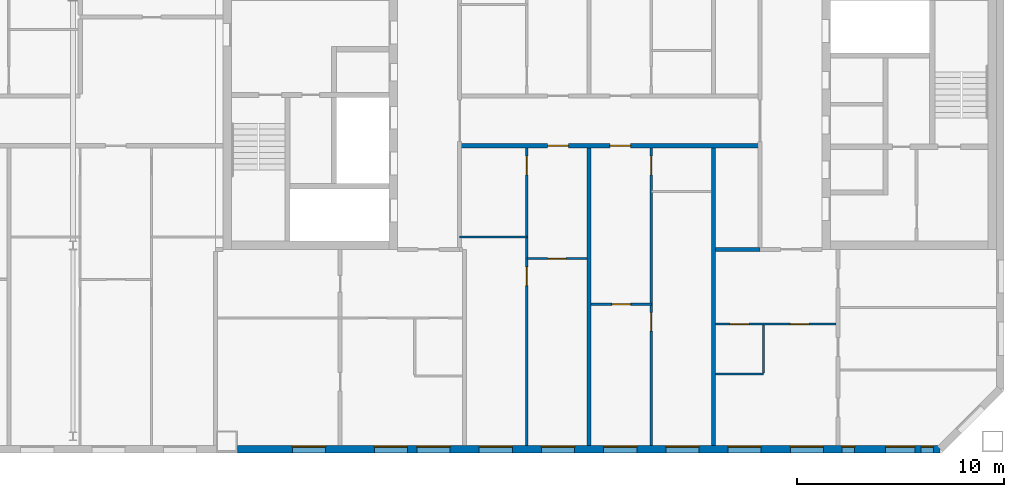
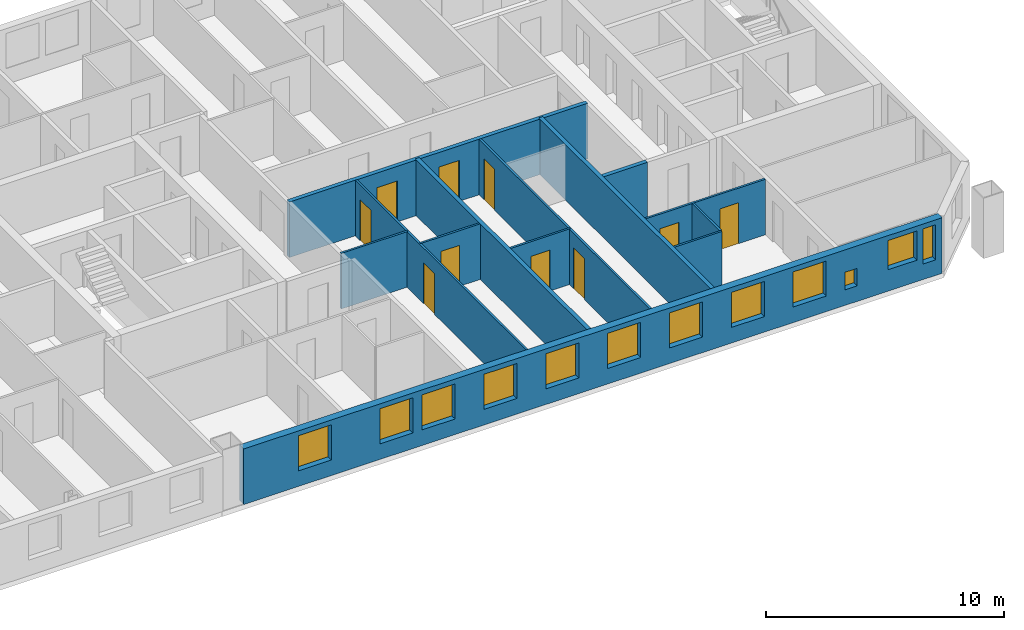
# One storey, part 14 of 19: 13 walls, 12 windows, 10 doors, 22 openings.
"""IFC4 building model written with IfcOpenShell, lengths in metres."""

from ifc_helpers import new_model, si_unit, direction, frame, frame_2d, origin, place, context, subcontext, project, spatial, rectangle, extrude, material, layer, layer_set, type_object, element, fill, save


model = new_model("IFC4")

# Units and contexts
model_context = context("Model", 3, precision=1e-05, world=origin(), true_north=direction((0.0, 1.0)))
body_context = subcontext(model_context, "Body", "Model", "MODEL_VIEW")
ifc_project = project(units=[si_unit("LENGTHUNIT", "METRE"), si_unit("AREAUNIT", "SQUARE_METRE"), si_unit("VOLUMEUNIT", "CUBIC_METRE"), si_unit("PLANEANGLEUNIT", "RADIAN"), si_unit("MASSUNIT", "GRAM", prefix="KILO")], contexts=[model_context])

# Site, building, storey
site_placement = place(None, origin())
site = spatial("IfcSite", under=ifc_project, at=site_placement, CompositionType="ELEMENT")
building_placement = place(site_placement, origin())
building = spatial("IfcBuilding", under=site, at=building_placement, Name="Tuart Gate Housing", CompositionType="ELEMENT")
storey_placement = place(building_placement, frame((0.0, 0.0, 212.10009765625)))
storey = spatial("IfcBuildingStorey", under=building, at=storey_placement, Name="L60", CompositionType="ELEMENT", Elevation=212.10009765625)

# Wall, openings, windows
ifc_material_1 = material(Name="Brick", Category="masonry")
ifc_layer_1 = layer(ifc_material_1, 0.360107421875)
ifc_layer_set_1 = layer_set([ifc_layer_1], Name="Brick pier and spandrel wall 360")
wall_type_1 = type_object("IfcWallType", Name="Brick pier and spandrel wall 360", PredefinedType="STANDARD", material=ifc_layer_set_1)
wall_1_placement = place(storey_placement, frame((132.050048828125, 54.179931640625, 0.0), z_axis=(0.0, 0.0, 1.0), x_axis=(1.0, 0.0, 0.0)))
wall_1 = element("IfcWall", 1, at=wall_1_placement, inside=storey, type_object=wall_type_1, Name="External wall BLK-S L60", PredefinedType="STANDARD", context=body_context, shape_type="SweptSolid", body=[
    extrude(rectangle(XDim=33.87548828125, YDim=0.360107421875, at=frame_2d((16.937744140625, 0.0))), origin(), (0.0, 0.0, 1.0), 2.849853515625),
])
opening_1_placement = place(wall_1_placement, frame((2.64990234375, 0.0, 0.800048828125)))
opening_1 = element("IfcOpeningElement", 2, at=opening_1_placement, cuts=wall_1, Name="Opening W1", PredefinedType="OPENING", context=body_context, shape_type="SweptSolid", body=[
    extrude(rectangle(XDim=1.60009765625, YDim=1.800048828125, at=frame_2d((0.800048828125, 0.89990234375))), frame((0.0, 0.18994140625, 0.0), z_axis=(0.0, -1.0, 0.0), x_axis=(1.0, 0.0, 0.0)), (0.0, 0.0, 1.0), 0.380126953125),
])
opening_2_placement = place(wall_1_placement, frame((6.60009765625, 0.0, 0.800048828125)))
opening_2 = element("IfcOpeningElement", 3, at=opening_2_placement, cuts=wall_1, Name="Opening W1", PredefinedType="OPENING", context=body_context, shape_type="SweptSolid", body=[
    extrude(rectangle(XDim=1.60009765625, YDim=1.800048828125, at=frame_2d((0.800048828125, 0.89990234375))), frame((0.0, 0.18994140625, 0.0), z_axis=(0.0, -1.0, 0.0), x_axis=(1.0, 0.0, 0.0)), (0.0, 0.0, 1.0), 0.380126953125),
])
opening_3_placement = place(wall_1_placement, frame((8.64990234375, 0.0, 0.800048828125)))
opening_3 = element("IfcOpeningElement", 4, at=opening_3_placement, cuts=wall_1, Name="Opening W1", PredefinedType="OPENING", context=body_context, shape_type="SweptSolid", body=[
    extrude(rectangle(XDim=1.60009765625, YDim=1.800048828125, at=frame_2d((0.800048828125, 0.89990234375))), frame((0.0, 0.18994140625, 0.0), z_axis=(0.0, -1.0, 0.0), x_axis=(1.0, 0.0, 0.0)), (0.0, 0.0, 1.0), 0.380126953125),
])
opening_4_placement = place(wall_1_placement, frame((11.64990234375, 0.0, 0.800048828125)))
opening_4 = element("IfcOpeningElement", 5, at=opening_4_placement, cuts=wall_1, Name="Opening W1", PredefinedType="OPENING", context=body_context, shape_type="SweptSolid", body=[
    extrude(rectangle(XDim=1.60009765625, YDim=1.800048828125, at=frame_2d((0.800048828125, 0.89990234375))), frame((0.0, 0.18994140625, 0.0), z_axis=(0.0, -1.0, 0.0), x_axis=(1.0, 0.0, 0.0)), (0.0, 0.0, 1.0), 0.380126953125),
])
opening_5_placement = place(wall_1_placement, frame((14.64990234375, 0.0, 0.800048828125)))
opening_5 = element("IfcOpeningElement", 6, at=opening_5_placement, cuts=wall_1, Name="Opening W1", PredefinedType="OPENING", context=body_context, shape_type="SweptSolid", body=[
    extrude(rectangle(XDim=1.60009765625, YDim=1.800048828125, at=frame_2d((0.800048828125, 0.89990234375))), frame((0.0, 0.18994140625, 0.0), z_axis=(0.0, -1.0, 0.0), x_axis=(1.0, 0.0, 0.0)), (0.0, 0.0, 1.0), 0.380126953125),
])
opening_6_placement = place(wall_1_placement, frame((17.64990234375, 0.0, 0.800048828125)))
opening_6 = element("IfcOpeningElement", 7, at=opening_6_placement, cuts=wall_1, Name="Opening W1", PredefinedType="OPENING", context=body_context, shape_type="SweptSolid", body=[
    extrude(rectangle(XDim=1.60009765625, YDim=1.800048828125, at=frame_2d((0.800048828125, 0.89990234375))), frame((0.0, 0.18994140625, 0.0), z_axis=(0.0, -1.0, 0.0), x_axis=(1.0, 0.0, 0.0)), (0.0, 0.0, 1.0), 0.380126953125),
])
opening_7_placement = place(wall_1_placement, frame((20.64990234375, 0.0, 0.800048828125)))
opening_7 = element("IfcOpeningElement", 8, at=opening_7_placement, cuts=wall_1, Name="Opening W1", PredefinedType="OPENING", context=body_context, shape_type="SweptSolid", body=[
    extrude(rectangle(XDim=1.60009765625, YDim=1.800048828125, at=frame_2d((0.800048828125, 0.89990234375))), frame((0.0, 0.18994140625, 0.0), z_axis=(0.0, -1.0, 0.0), x_axis=(1.0, 0.0, 0.0)), (0.0, 0.0, 1.0), 0.380126953125),
])
opening_8_placement = place(wall_1_placement, frame((23.64990234375, 0.0, 0.800048828125)))
opening_8 = element("IfcOpeningElement", 9, at=opening_8_placement, cuts=wall_1, Name="Opening W1", PredefinedType="OPENING", context=body_context, shape_type="SweptSolid", body=[
    extrude(rectangle(XDim=1.60009765625, YDim=1.800048828125, at=frame_2d((0.800048828125, 0.89990234375))), frame((0.0, 0.18994140625, 0.0), z_axis=(0.0, -1.0, 0.0), x_axis=(1.0, 0.0, 0.0)), (0.0, 0.0, 1.0), 0.380126953125),
])
opening_9_placement = place(wall_1_placement, frame((26.64990234375, 0.0, 0.800048828125)))
opening_9 = element("IfcOpeningElement", 10, at=opening_9_placement, cuts=wall_1, Name="Opening W1", PredefinedType="OPENING", context=body_context, shape_type="SweptSolid", body=[
    extrude(rectangle(XDim=1.60009765625, YDim=1.800048828125, at=frame_2d((0.800048828125, 0.89990234375))), frame((0.0, 0.18994140625, 0.0), z_axis=(0.0, -1.0, 0.0), x_axis=(1.0, 0.0, 0.0)), (0.0, 0.0, 1.0), 0.380126953125),
])
opening_10_placement = place(wall_1_placement, frame((29.14990234375, 0.0, 0.800048828125)))
opening_10 = element("IfcOpeningElement", 11, at=opening_10_placement, cuts=wall_1, Name="Opening W1W", PredefinedType="OPENING", context=body_context, shape_type="SweptSolid", body=[
    extrude(rectangle(XDim=0.60009765625, YDim=0.89990234375, at=frame_2d((0.300048828125, 0.449951171875))), frame((0.0, 0.18994140625, 0.0), z_axis=(0.0, -1.0, 0.0), x_axis=(1.0, 0.0, 0.0)), (0.0, 0.0, 1.0), 0.380126953125),
])
opening_11_placement = place(wall_1_placement, frame((31.25, 0.0, 1.10009765625)))
opening_11 = element("IfcOpeningElement", 12, at=opening_11_placement, cuts=wall_1, Name="Opening W1G", PredefinedType="OPENING", context=body_context, shape_type="SweptSolid", body=[
    extrude(rectangle(XDim=1.39990234375, YDim=1.5, at=frame_2d((0.699951171875, 0.75))), frame((0.0, 0.18994140625, 0.0), z_axis=(0.0, -1.0, 0.0), x_axis=(1.0, 0.0, 0.0)), (0.0, 0.0, 1.0), 0.380126953125),
])
opening_12_placement = place(wall_1_placement, frame((32.949951171875, 0.0, 0.800048828125)))
opening_12 = element("IfcOpeningElement", 13, at=opening_12_placement, cuts=wall_1, Name="Opening W1E", PredefinedType="OPENING", context=body_context, shape_type="SweptSolid", body=[
    extrude(rectangle(XDim=0.60009765625, YDim=1.800048828125, at=frame_2d((0.300048828125, 0.89990234375))), frame((0.0, 0.18994140625, 0.0), z_axis=(0.0, -1.0, 0.0), x_axis=(1.0, 0.0, 0.0)), (0.0, 0.0, 1.0), 0.380126953125),
])
ifc_material_2 = material(Name="Aluminium frame with clear glass", Category="aluminium")
window_type_1 = type_object("IfcWindowType", Name="Punched window 1400 x 1500", PartitioningType="SINGLE_PANEL", PredefinedType="WINDOW", material=ifc_material_2)
window_1_placement = place(opening_11_placement, origin())
window_1 = element("IfcWindow", 14, at=window_1_placement, inside=storey, type_object=window_type_1, Name="Window W1G", OverallHeight=1.5, OverallWidth=1.39990234375, PartitioningType="SINGLE_PANEL", PredefinedType="WINDOW", context=body_context, shape_type="SweptSolid", body=[
    extrude(rectangle(XDim=1.39990234375, YDim=1.5, at=frame_2d((0.699951171875, 0.75))), frame((0.0, 0.150146484375, 0.0), z_axis=(0.0, -1.0, 0.0), x_axis=(1.0, 0.0, 0.0)), (0.0, 0.0, 1.0), 0.06005859375),
])
fill(opening_11, window_1)
ifc_material_3 = material(Name="Aluminium frame with clear glass", Category="aluminium")
window_type_2 = type_object("IfcWindowType", Name="Punched window 1600 x 1800", PartitioningType="SINGLE_PANEL", PredefinedType="WINDOW", material=ifc_material_3)
window_2_placement = place(opening_1_placement, origin())
window_2 = element("IfcWindow", 15, at=window_2_placement, inside=storey, type_object=window_type_2, Name="Window W1", OverallHeight=1.800048828125, OverallWidth=1.60009765625, PartitioningType="SINGLE_PANEL", PredefinedType="WINDOW", context=body_context, shape_type="SweptSolid", body=[
    extrude(rectangle(XDim=1.60009765625, YDim=1.800048828125, at=frame_2d((0.800048828125, 0.89990234375))), frame((0.0, 0.150146484375, 0.0), z_axis=(0.0, -1.0, 0.0), x_axis=(1.0, 0.0, 0.0)), (0.0, 0.0, 1.0), 0.06005859375),
])
fill(opening_1, window_2)
window_3_placement = place(opening_2_placement, origin())
window_3 = element("IfcWindow", 16, at=window_3_placement, inside=storey, type_object=window_type_2, Name="Window W1", OverallHeight=1.800048828125, OverallWidth=1.60009765625, PartitioningType="SINGLE_PANEL", PredefinedType="WINDOW", context=body_context, shape_type="SweptSolid", body=[
    extrude(rectangle(XDim=1.60009765625, YDim=1.800048828125, at=frame_2d((0.800048828125, 0.89990234375))), frame((0.0, 0.150146484375, 0.0), z_axis=(0.0, -1.0, 0.0), x_axis=(1.0, 0.0, 0.0)), (0.0, 0.0, 1.0), 0.06005859375),
])
fill(opening_2, window_3)
window_4_placement = place(opening_3_placement, origin())
window_4 = element("IfcWindow", 17, at=window_4_placement, inside=storey, type_object=window_type_2, Name="Window W1", OverallHeight=1.800048828125, OverallWidth=1.60009765625, PartitioningType="SINGLE_PANEL", PredefinedType="WINDOW", context=body_context, shape_type="SweptSolid", body=[
    extrude(rectangle(XDim=1.60009765625, YDim=1.800048828125, at=frame_2d((0.800048828125, 0.89990234375))), frame((0.0, 0.150146484375, 0.0), z_axis=(0.0, -1.0, 0.0), x_axis=(1.0, 0.0, 0.0)), (0.0, 0.0, 1.0), 0.06005859375),
])
fill(opening_3, window_4)
window_5_placement = place(opening_4_placement, origin())
window_5 = element("IfcWindow", 18, at=window_5_placement, inside=storey, type_object=window_type_2, Name="Window W1", OverallHeight=1.800048828125, OverallWidth=1.60009765625, PartitioningType="SINGLE_PANEL", PredefinedType="WINDOW", context=body_context, shape_type="SweptSolid", body=[
    extrude(rectangle(XDim=1.60009765625, YDim=1.800048828125, at=frame_2d((0.800048828125, 0.89990234375))), frame((0.0, 0.150146484375, 0.0), z_axis=(0.0, -1.0, 0.0), x_axis=(1.0, 0.0, 0.0)), (0.0, 0.0, 1.0), 0.06005859375),
])
fill(opening_4, window_5)
window_6_placement = place(opening_5_placement, origin())
window_6 = element("IfcWindow", 19, at=window_6_placement, inside=storey, type_object=window_type_2, Name="Window W1", OverallHeight=1.800048828125, OverallWidth=1.60009765625, PartitioningType="SINGLE_PANEL", PredefinedType="WINDOW", context=body_context, shape_type="SweptSolid", body=[
    extrude(rectangle(XDim=1.60009765625, YDim=1.800048828125, at=frame_2d((0.800048828125, 0.89990234375))), frame((0.0, 0.150146484375, 0.0), z_axis=(0.0, -1.0, 0.0), x_axis=(1.0, 0.0, 0.0)), (0.0, 0.0, 1.0), 0.06005859375),
])
fill(opening_5, window_6)
window_7_placement = place(opening_6_placement, origin())
window_7 = element("IfcWindow", 20, at=window_7_placement, inside=storey, type_object=window_type_2, Name="Window W1", OverallHeight=1.800048828125, OverallWidth=1.60009765625, PartitioningType="SINGLE_PANEL", PredefinedType="WINDOW", context=body_context, shape_type="SweptSolid", body=[
    extrude(rectangle(XDim=1.60009765625, YDim=1.800048828125, at=frame_2d((0.800048828125, 0.89990234375))), frame((0.0, 0.150146484375, 0.0), z_axis=(0.0, -1.0, 0.0), x_axis=(1.0, 0.0, 0.0)), (0.0, 0.0, 1.0), 0.06005859375),
])
fill(opening_6, window_7)
window_8_placement = place(opening_7_placement, origin())
window_8 = element("IfcWindow", 21, at=window_8_placement, inside=storey, type_object=window_type_2, Name="Window W1", OverallHeight=1.800048828125, OverallWidth=1.60009765625, PartitioningType="SINGLE_PANEL", PredefinedType="WINDOW", context=body_context, shape_type="SweptSolid", body=[
    extrude(rectangle(XDim=1.60009765625, YDim=1.800048828125, at=frame_2d((0.800048828125, 0.89990234375))), frame((0.0, 0.150146484375, 0.0), z_axis=(0.0, -1.0, 0.0), x_axis=(1.0, 0.0, 0.0)), (0.0, 0.0, 1.0), 0.06005859375),
])
fill(opening_7, window_8)
window_9_placement = place(opening_8_placement, origin())
window_9 = element("IfcWindow", 22, at=window_9_placement, inside=storey, type_object=window_type_2, Name="Window W1", OverallHeight=1.800048828125, OverallWidth=1.60009765625, PartitioningType="SINGLE_PANEL", PredefinedType="WINDOW", context=body_context, shape_type="SweptSolid", body=[
    extrude(rectangle(XDim=1.60009765625, YDim=1.800048828125, at=frame_2d((0.800048828125, 0.89990234375))), frame((0.0, 0.150146484375, 0.0), z_axis=(0.0, -1.0, 0.0), x_axis=(1.0, 0.0, 0.0)), (0.0, 0.0, 1.0), 0.06005859375),
])
fill(opening_8, window_9)
window_10_placement = place(opening_9_placement, origin())
window_10 = element("IfcWindow", 23, at=window_10_placement, inside=storey, type_object=window_type_2, Name="Window W1", OverallHeight=1.800048828125, OverallWidth=1.60009765625, PartitioningType="SINGLE_PANEL", PredefinedType="WINDOW", context=body_context, shape_type="SweptSolid", body=[
    extrude(rectangle(XDim=1.60009765625, YDim=1.800048828125, at=frame_2d((0.800048828125, 0.89990234375))), frame((0.0, 0.150146484375, 0.0), z_axis=(0.0, -1.0, 0.0), x_axis=(1.0, 0.0, 0.0)), (0.0, 0.0, 1.0), 0.06005859375),
])
fill(opening_9, window_10)
ifc_material_4 = material(Name="Aluminium frame with clear glass", Category="aluminium")
window_type_3 = type_object("IfcWindowType", Name="Punched window 600 x 1800", PartitioningType="SINGLE_PANEL", PredefinedType="WINDOW", material=ifc_material_4)
window_11_placement = place(opening_12_placement, origin())
window_11 = element("IfcWindow", 24, at=window_11_placement, inside=storey, type_object=window_type_3, Name="Window W1E", OverallHeight=1.800048828125, OverallWidth=0.60009765625, PartitioningType="SINGLE_PANEL", PredefinedType="WINDOW", context=body_context, shape_type="SweptSolid", body=[
    extrude(rectangle(XDim=0.60009765625, YDim=1.800048828125, at=frame_2d((0.300048828125, 0.89990234375))), frame((0.0, 0.150146484375, 0.0), z_axis=(0.0, -1.0, 0.0), x_axis=(1.0, 0.0, 0.0)), (0.0, 0.0, 1.0), 0.06005859375),
])
fill(opening_12, window_11)
ifc_material_5 = material(Name="Aluminium frame with clear glass", Category="aluminium")
window_type_4 = type_object("IfcWindowType", Name="Punched window 600 x 900", PartitioningType="SINGLE_PANEL", PredefinedType="WINDOW", material=ifc_material_5)
window_12_placement = place(opening_10_placement, origin())
window_12 = element("IfcWindow", 25, at=window_12_placement, inside=storey, type_object=window_type_4, Name="Window W1W", OverallHeight=0.89990234375, OverallWidth=0.60009765625, PartitioningType="SINGLE_PANEL", PredefinedType="WINDOW", context=body_context, shape_type="SweptSolid", body=[
    extrude(rectangle(XDim=0.60009765625, YDim=0.89990234375, at=frame_2d((0.300048828125, 0.449951171875))), frame((0.0, 0.150146484375, 0.0), z_axis=(0.0, -1.0, 0.0), x_axis=(1.0, 0.0, 0.0)), (0.0, 0.0, 1.0), 0.06005859375),
])
fill(opening_10, window_12)

# Wall, openings, doors
ifc_material_6 = material(Name="Concrete masonry 15 MPa", Category="masonry")
ifc_layer_2 = layer(ifc_material_6, 0.199951171875)
ifc_layer_set_2 = layer_set([ifc_layer_2], Name="Corridor wall masonry 200")
wall_type_2 = type_object("IfcWallType", Name="Corridor wall masonry 200", PredefinedType="PARTITIONING", material=ifc_layer_set_2)
wall_2_placement = place(storey_placement, frame((142.760009765625, 68.800048828125, 0.0), z_axis=(0.0, 0.0, 1.0), x_axis=(1.0, 0.0, 0.0)))
wall_2 = element("IfcWall", 26, at=wall_2_placement, inside=storey, type_object=wall_type_2, Name="Corridor wall masonry 200", PredefinedType="PARTITIONING", context=body_context, shape_type="SweptSolid", body=[
    extrude(rectangle(XDim=14.47998046875, YDim=0.199951171875, at=frame_2d((7.239990234375, 0.0))), origin(), (0.0, 0.0, 1.0), 2.849853515625),
])
opening_13_placement = place(wall_2_placement, frame((4.239990234375, 0.0, 0.0)))
opening_13 = element("IfcOpeningElement", 27, at=opening_13_placement, cuts=wall_2, Name="Opening D2254", PredefinedType="OPENING", context=body_context, shape_type="SweptSolid", body=[
    extrude(rectangle(XDim=1.0, YDim=2.10009765625, at=frame_2d((0.5, 1.050048828125))), frame((0.0, 0.10986328125, 0.0), z_axis=(0.0, -1.0, 0.0), x_axis=(1.0, 0.0, 0.0)), (0.0, 0.0, 1.0), 0.219970703125),
])
opening_14_placement = place(wall_2_placement, frame((7.239990234375, 0.0, 0.0)))
opening_14 = element("IfcOpeningElement", 28, at=opening_14_placement, cuts=wall_2, Name="Opening D2255", PredefinedType="OPENING", context=body_context, shape_type="SweptSolid", body=[
    extrude(rectangle(XDim=1.0, YDim=2.10009765625, at=frame_2d((0.5, 1.050048828125))), frame((0.0, 0.10986328125, 0.0), z_axis=(0.0, -1.0, 0.0), x_axis=(1.0, 0.0, 0.0)), (0.0, 0.0, 1.0), 0.219970703125),
])
ifc_material_7 = material(Name="Timber door leaf in steel frame", Category="steel")
door_type_1 = type_object("IfcDoorType", Name="Flat entrance door 1000 RH", OperationType="SINGLE_SWING_RIGHT", PredefinedType="DOOR", material=ifc_material_7)
door_1_placement = place(opening_13_placement, frame((1.0, 0.0, 0.0), z_axis=(0.0, 0.0, 1.0), x_axis=(-1.0, 0.0, 0.0)))
door_1 = element("IfcDoor", 29, at=door_1_placement, inside=storey, type_object=door_type_1, Name="Flat entrance door", OperationType="SINGLE_SWING_RIGHT", OverallHeight=2.10009765625, OverallWidth=1.0, PredefinedType="DOOR", context=body_context, shape_type="SweptSolid", body=[
    extrude(rectangle(XDim=1.0, YDim=2.10009765625, at=frame_2d((0.5, 1.050048828125))), frame((0.0, 0.025146484375, 0.0), z_axis=(0.0, -1.0, 0.0), x_axis=(1.0, 0.0, 0.0)), (0.0, 0.0, 1.0), 0.050048828125),
])
fill(opening_13, door_1)
door_2_placement = place(opening_14_placement, frame((1.0, 0.0, 0.0), z_axis=(0.0, 0.0, 1.0), x_axis=(-1.0, 0.0, 0.0)))
door_2 = element("IfcDoor", 30, at=door_2_placement, inside=storey, type_object=door_type_1, Name="Flat entrance door", OperationType="SINGLE_SWING_RIGHT", OverallHeight=2.10009765625, OverallWidth=1.0, PredefinedType="DOOR", context=body_context, shape_type="SweptSolid", body=[
    extrude(rectangle(XDim=1.0, YDim=2.10009765625, at=frame_2d((0.5, 1.050048828125))), frame((0.0, 0.025146484375, 0.0), z_axis=(0.0, -1.0, 0.0), x_axis=(1.0, 0.0, 0.0)), (0.0, 0.0, 1.0), 0.050048828125),
])
fill(opening_14, door_2)

# Wall
ifc_material_8 = material(Name="Gypsum board on steel studs", Category="steel")
ifc_layer_3 = layer(ifc_material_8, 0.10009765625)
ifc_layer_set_3 = layer_set([ifc_layer_3], Name="Partition 100")
wall_type_3 = type_object("IfcWallType", Name="Partition 100", PredefinedType="PARTITIONING", material=ifc_layer_set_3)
wall_3_placement = place(storey_placement, frame((155.10009765625, 57.800048828125, 0.0), z_axis=(0.0, 0.0, 1.0), x_axis=(1.0, 0.0, 0.0)))
element("IfcWall", 31, at=wall_3_placement, inside=storey, type_object=wall_type_3, Name="Partition 100", PredefinedType="PARTITIONING", context=body_context, shape_type="SweptSolid", body=[
    extrude(rectangle(XDim=2.2998046875, YDim=0.10009765625, at=frame_2d((1.14990234375, 0.0))), origin(), (0.0, 0.0, 1.0), 2.849853515625),
])

# Wall, openings, doors
wall_4_placement = place(storey_placement, frame((155.10009765625, 60.199951171875, 0.0), z_axis=(0.0, 0.0, 1.0), x_axis=(1.0, 0.0, 0.0)))
wall_4 = element("IfcWall", 32, at=wall_4_placement, inside=storey, type_object=wall_type_3, Name="Partition 100", PredefinedType="PARTITIONING", context=body_context, shape_type="SweptSolid", body=[
    extrude(rectangle(XDim=5.7998046875, YDim=0.10009765625, at=frame_2d((2.89990234375, 0.0))), origin(), (0.0, 0.0, 1.0), 2.849853515625),
])
opening_15_placement = place(wall_4_placement, frame((3.60009765625, 0.0, 0.0)))
opening_15 = element("IfcOpeningElement", 33, at=opening_15_placement, cuts=wall_4, Name="Opening D2270", PredefinedType="OPENING", context=body_context, shape_type="SweptSolid", body=[
    extrude(rectangle(XDim=0.89990234375, YDim=2.10009765625, at=frame_2d((0.449951171875, 1.050048828125))), frame((0.0, 0.06005859375, 0.0), z_axis=(0.0, -1.0, 0.0), x_axis=(1.0, 0.0, 0.0)), (0.0, 0.0, 1.0), 0.1201171875),
])
opening_16_placement = place(wall_4_placement, frame((0.699951171875, 0.0, 0.0)))
opening_16 = element("IfcOpeningElement", 34, at=opening_16_placement, cuts=wall_4, Name="Opening D2269", PredefinedType="OPENING", context=body_context, shape_type="SweptSolid", body=[
    extrude(rectangle(XDim=0.89990234375, YDim=2.10009765625, at=frame_2d((0.449951171875, 1.050048828125))), frame((0.0, 0.06005859375, 0.0), z_axis=(0.0, -1.0, 0.0), x_axis=(1.0, 0.0, 0.0)), (0.0, 0.0, 1.0), 0.1201171875),
])
ifc_material_9 = material(Name="Timber door leaf in steel frame", Category="steel")
door_type_2 = type_object("IfcDoorType", Name="Bathroom door 900", OperationType="SINGLE_SWING_LEFT", PredefinedType="DOOR", material=ifc_material_9)
door_3_placement = place(opening_16_placement, frame((0.89990234375, 0.0, 0.0), z_axis=(0.0, 0.0, 1.0), x_axis=(-1.0, 0.0, 0.0)))
door_3 = element("IfcDoor", 35, at=door_3_placement, inside=storey, type_object=door_type_2, Name="Bathroom door", OperationType="SINGLE_SWING_LEFT", OverallHeight=2.10009765625, OverallWidth=0.89990234375, PredefinedType="DOOR", context=body_context, shape_type="SweptSolid", body=[
    extrude(rectangle(XDim=0.89990234375, YDim=2.10009765625, at=frame_2d((0.449951171875, 1.050048828125))), frame((0.0, 0.025146484375, 0.0), z_axis=(0.0, -1.0, 0.0), x_axis=(1.0, 0.0, 0.0)), (0.0, 0.0, 1.0), 0.050048828125),
])
fill(opening_16, door_3)
ifc_material_10 = material(Name="Timber door leaf in steel frame", Category="steel")
door_type_3 = type_object("IfcDoorType", Name="Internal door 900 RH", OperationType="SINGLE_SWING_RIGHT", PredefinedType="DOOR", material=ifc_material_10)
door_4_placement = place(opening_15_placement, origin())
door_4 = element("IfcDoor", 36, at=door_4_placement, inside=storey, type_object=door_type_3, Name="Internal door", OperationType="SINGLE_SWING_RIGHT", OverallHeight=2.10009765625, OverallWidth=0.89990234375, PredefinedType="DOOR", context=body_context, shape_type="SweptSolid", body=[
    extrude(rectangle(XDim=0.89990234375, YDim=2.10009765625, at=frame_2d((0.449951171875, 1.050048828125))), frame((0.0, 0.02490234375, 0.0), z_axis=(0.0, -1.0, 0.0), x_axis=(1.0, 0.0, 0.0)), (0.0, 0.0, 1.0), 0.050048828125),
])
fill(opening_15, door_4)

# Wall, opening, door
wall_5_placement = place(storey_placement, frame((149.10009765625, 61.159912109375, 0.0), z_axis=(0.0, 0.0, 1.0), x_axis=(1.0, 0.0, 0.0)))
wall_5 = element("IfcWall", 37, at=wall_5_placement, inside=storey, type_object=wall_type_3, Name="Partition 100", PredefinedType="PARTITIONING", context=body_context, shape_type="SweptSolid", body=[
    extrude(rectangle(XDim=2.89990234375, YDim=0.10009765625, at=frame_2d((1.449951171875, 0.0))), origin(), (0.0, 0.0, 1.0), 2.849853515625),
])
opening_17_placement = place(wall_5_placement, frame((1.0, 0.0, 0.0)))
opening_17 = element("IfcOpeningElement", 38, at=opening_17_placement, cuts=wall_5, Name="Opening D2266", PredefinedType="OPENING", context=body_context, shape_type="SweptSolid", body=[
    extrude(rectangle(XDim=0.89990234375, YDim=2.10009765625, at=frame_2d((0.449951171875, 1.050048828125))), frame((0.0, 0.06005859375, 0.0), z_axis=(0.0, -1.0, 0.0), x_axis=(1.0, 0.0, 0.0)), (0.0, 0.0, 1.0), 0.1201171875),
])
door_5_placement = place(opening_17_placement, origin())
door_5 = element("IfcDoor", 39, at=door_5_placement, inside=storey, type_object=door_type_3, Name="Internal door", OperationType="SINGLE_SWING_RIGHT", OverallHeight=2.10009765625, OverallWidth=0.89990234375, PredefinedType="DOOR", context=body_context, shape_type="SweptSolid", body=[
    extrude(rectangle(XDim=0.89990234375, YDim=2.10009765625, at=frame_2d((0.449951171875, 1.050048828125))), frame((0.0, 0.02490234375, 0.0), z_axis=(0.0, -1.0, 0.0), x_axis=(1.0, 0.0, 0.0)), (0.0, 0.0, 1.0), 0.050048828125),
])
fill(opening_17, door_5)

wall_6_placement = place(storey_placement, frame((146.0, 63.360107421875, 0.0), z_axis=(0.0, 0.0, 1.0), x_axis=(1.0, 0.0, 0.0)))
wall_6 = element("IfcWall", 40, at=wall_6_placement, inside=storey, type_object=wall_type_3, Name="Partition 100", PredefinedType="PARTITIONING", context=body_context, shape_type="SweptSolid", body=[
    extrude(rectangle(XDim=2.89990234375, YDim=0.10009765625, at=frame_2d((1.449951171875, 0.0))), origin(), (0.0, 0.0, 1.0), 2.849853515625),
])
opening_18_placement = place(wall_6_placement, frame((1.0, 0.0, 0.0)))
opening_18 = element("IfcOpeningElement", 41, at=opening_18_placement, cuts=wall_6, Name="Opening D2261", PredefinedType="OPENING", context=body_context, shape_type="SweptSolid", body=[
    extrude(rectangle(XDim=0.89990234375, YDim=2.10009765625, at=frame_2d((0.449951171875, 1.050048828125))), frame((0.0, 0.06005859375, 0.0), z_axis=(0.0, -1.0, 0.0), x_axis=(1.0, 0.0, 0.0)), (0.0, 0.0, 1.0), 0.1201171875),
])
ifc_material_11 = material(Name="Timber door leaf in steel frame", Category="steel")
door_type_4 = type_object("IfcDoorType", Name="Internal door 900", OperationType="SINGLE_SWING_LEFT", PredefinedType="DOOR", material=ifc_material_11)
door_6_placement = place(opening_18_placement, origin())
door_6 = element("IfcDoor", 42, at=door_6_placement, inside=storey, type_object=door_type_4, Name="Internal door", OperationType="SINGLE_SWING_LEFT", OverallHeight=2.10009765625, OverallWidth=0.89990234375, PredefinedType="DOOR", context=body_context, shape_type="SweptSolid", body=[
    extrude(rectangle(XDim=0.89990234375, YDim=2.10009765625, at=frame_2d((0.449951171875, 1.050048828125))), frame((0.0, 0.02490234375, 0.0), z_axis=(0.0, -1.0, 0.0), x_axis=(1.0, 0.0, 0.0)), (0.0, 0.0, 1.0), 0.050048828125),
])
fill(opening_18, door_6)

# Wall
wall_7_placement = place(storey_placement, frame((142.760009765625, 64.39990234375, 0.0), z_axis=(0.0, 0.0, 1.0), x_axis=(1.0, 0.0, 0.0)))
element("IfcWall", 43, at=wall_7_placement, inside=storey, type_object=wall_type_3, Name="Partition 100", PredefinedType="PARTITIONING", context=body_context, shape_type="SweptSolid", body=[
    extrude(rectangle(XDim=3.239990234375, YDim=0.10009765625, at=frame_2d((1.6201171875, 0.0))), origin(), (0.0, 0.0, 1.0), 2.849853515625),
])

# Wall, openings, doors
wall_8_placement = place(storey_placement, frame((146.0, 54.360107421875, 0.0), z_axis=(0.0, 0.0, 1.0), x_axis=(0.0, 1.0, 0.0)))
wall_8 = element("IfcWall", 44, at=wall_8_placement, inside=storey, type_object=wall_type_3, Name="Partition 100", PredefinedType="PARTITIONING", context=body_context, shape_type="SweptSolid", body=[
    extrude(rectangle(XDim=14.33984375, YDim=0.10009765625, at=frame_2d((7.169921875, 0.0))), origin(), (0.0, 0.0, 1.0), 2.849853515625),
])
opening_19_placement = place(wall_8_placement, frame((7.699951171875, 0.0, 0.0)))
opening_19 = element("IfcOpeningElement", 45, at=opening_19_placement, cuts=wall_8, Name="Opening D2263", PredefinedType="OPENING", context=body_context, shape_type="SweptSolid", body=[
    extrude(rectangle(XDim=0.89990234375, YDim=2.10009765625, at=frame_2d((0.449951171875, 1.050048828125))), frame((0.0, 0.06005859375, 0.0), z_axis=(0.0, -1.0, 0.0), x_axis=(1.0, 0.0, 0.0)), (0.0, 0.0, 1.0), 0.1201171875),
])
opening_20_placement = place(wall_8_placement, frame((13.0400390625, 0.0, 0.0)))
opening_20 = element("IfcOpeningElement", 46, at=opening_20_placement, cuts=wall_8, Name="Opening D2262", PredefinedType="OPENING", context=body_context, shape_type="SweptSolid", body=[
    extrude(rectangle(XDim=0.89990234375, YDim=2.10009765625, at=frame_2d((0.449951171875, 1.050048828125))), frame((0.0, 0.06005859375, 0.0), z_axis=(0.0, -1.0, 0.0), x_axis=(1.0, 0.0, 0.0)), (0.0, 0.0, 1.0), 0.1201171875),
])
ifc_material_12 = material(Name="Timber door leaf in steel frame", Category="steel")
door_type_5 = type_object("IfcDoorType", Name="Bathroom door 900 RH", OperationType="SINGLE_SWING_RIGHT", PredefinedType="DOOR", material=ifc_material_12)
door_7_placement = place(opening_20_placement, origin())
door_7 = element("IfcDoor", 47, at=door_7_placement, inside=storey, type_object=door_type_5, Name="Bathroom door", OperationType="SINGLE_SWING_RIGHT", OverallHeight=2.10009765625, OverallWidth=0.89990234375, PredefinedType="DOOR", context=body_context, shape_type="SweptSolid", body=[
    extrude(rectangle(XDim=0.89990234375, YDim=2.10009765625, at=frame_2d((0.449951171875, 1.050048828125))), frame((0.0, 0.02490234375, 0.0), z_axis=(0.0, -1.0, 0.0), x_axis=(1.0, 0.0, 0.0)), (0.0, 0.0, 1.0), 0.050048828125),
])
fill(opening_20, door_7)
door_8_placement = place(opening_19_placement, origin())
door_8 = element("IfcDoor", 48, at=door_8_placement, inside=storey, type_object=door_type_3, Name="Internal door", OperationType="SINGLE_SWING_RIGHT", OverallHeight=2.10009765625, OverallWidth=0.89990234375, PredefinedType="DOOR", context=body_context, shape_type="SweptSolid", body=[
    extrude(rectangle(XDim=0.89990234375, YDim=2.10009765625, at=frame_2d((0.449951171875, 1.050048828125))), frame((0.0, 0.02490234375, 0.0), z_axis=(0.0, -1.0, 0.0), x_axis=(1.0, 0.0, 0.0)), (0.0, 0.0, 1.0), 0.050048828125),
])
fill(opening_19, door_8)

wall_9_placement = place(storey_placement, frame((152.0, 54.360107421875, 0.0), z_axis=(0.0, 0.0, 1.0), x_axis=(0.0, 1.0, 0.0)))
wall_9 = element("IfcWall", 49, at=wall_9_placement, inside=storey, type_object=wall_type_3, Name="Partition 100", PredefinedType="PARTITIONING", context=body_context, shape_type="SweptSolid", body=[
    extrude(rectangle(XDim=14.33984375, YDim=0.10009765625, at=frame_2d((7.169921875, 0.0))), origin(), (0.0, 0.0, 1.0), 2.849853515625),
])
opening_21_placement = place(wall_9_placement, frame((5.5, 0.0, 0.0)))
opening_21 = element("IfcOpeningElement", 50, at=opening_21_placement, cuts=wall_9, Name="Opening D2265", PredefinedType="OPENING", context=body_context, shape_type="SweptSolid", body=[
    extrude(rectangle(XDim=0.89990234375, YDim=2.10009765625, at=frame_2d((0.449951171875, 1.050048828125))), frame((0.0, 0.06005859375, 0.0), z_axis=(0.0, -1.0, 0.0), x_axis=(1.0, 0.0, 0.0)), (0.0, 0.0, 1.0), 0.1201171875),
])
opening_22_placement = place(wall_9_placement, frame((13.0400390625, 0.0, 0.0)))
opening_22 = element("IfcOpeningElement", 51, at=opening_22_placement, cuts=wall_9, Name="Opening D2264", PredefinedType="OPENING", context=body_context, shape_type="SweptSolid", body=[
    extrude(rectangle(XDim=0.89990234375, YDim=2.10009765625, at=frame_2d((0.449951171875, 1.050048828125))), frame((0.0, 0.06005859375, 0.0), z_axis=(0.0, -1.0, 0.0), x_axis=(1.0, 0.0, 0.0)), (0.0, 0.0, 1.0), 0.1201171875),
])
door_9_placement = place(opening_22_placement, frame((0.89990234375, 0.0, 0.0), z_axis=(0.0, 0.0, 1.0), x_axis=(-1.0, 0.0, 0.0)))
door_9 = element("IfcDoor", 52, at=door_9_placement, inside=storey, type_object=door_type_2, Name="Bathroom door", OperationType="SINGLE_SWING_LEFT", OverallHeight=2.10009765625, OverallWidth=0.89990234375, PredefinedType="DOOR", context=body_context, shape_type="SweptSolid", body=[
    extrude(rectangle(XDim=0.89990234375, YDim=2.10009765625, at=frame_2d((0.449951171875, 1.050048828125))), frame((0.0, 0.025146484375, 0.0), z_axis=(0.0, -1.0, 0.0), x_axis=(1.0, 0.0, 0.0)), (0.0, 0.0, 1.0), 0.050048828125),
])
fill(opening_22, door_9)
door_10_placement = place(opening_21_placement, frame((0.89990234375, 0.0, 0.0), z_axis=(0.0, 0.0, 1.0), x_axis=(-1.0, 0.0, 0.0)))
door_10 = element("IfcDoor", 53, at=door_10_placement, inside=storey, type_object=door_type_3, Name="Internal door", OperationType="SINGLE_SWING_RIGHT", OverallHeight=2.10009765625, OverallWidth=0.89990234375, PredefinedType="DOOR", context=body_context, shape_type="SweptSolid", body=[
    extrude(rectangle(XDim=0.89990234375, YDim=2.10009765625, at=frame_2d((0.449951171875, 1.050048828125))), frame((0.0, 0.025146484375, 0.0), z_axis=(0.0, -1.0, 0.0), x_axis=(1.0, 0.0, 0.0)), (0.0, 0.0, 1.0), 0.050048828125),
])
fill(opening_21, door_10)

# Walls
wall_10_placement = place(storey_placement, frame((157.39990234375, 57.85009765625, 0.0), z_axis=(0.0, 0.0, 1.0), x_axis=(0.0, 1.0, 0.0)))
element("IfcWall", 54, at=wall_10_placement, inside=storey, type_object=wall_type_3, Name="Partition 100", PredefinedType="PARTITIONING", context=body_context, shape_type="SweptSolid", body=[
    extrude(rectangle(XDim=2.2998046875, YDim=0.10009765625, at=frame_2d((1.14990234375, 0.0))), origin(), (0.0, 0.0, 1.0), 2.849853515625),
])
ifc_material_13 = material(Name="Concrete C40", Category="concrete")
ifc_layer_4 = layer(ifc_material_13, 0.199951171875)
ifc_layer_set_4 = layer_set([ifc_layer_4], Name="Party wall concrete C40 200")
wall_type_4 = type_object("IfcWallType", Name="Party wall concrete C40 200", PredefinedType="SOLIDWALL", material=ifc_layer_set_4)
for number, where, z_axis, x_axis, name in (
    (55, (149.0, 54.360107421875, 0.0), (0.0, 0.0, 1.0), (0.0, 1.0, 0.0), "Party wall concrete C40 200"),
    (56, (155.0, 54.360107421875, 0.0), (0.0, 0.0, 1.0), (0.0, 1.0, 0.0), "Party wall concrete C40 200"),
):
    element("IfcWall", number, at=place(storey_placement, frame(where, z_axis=z_axis, x_axis=x_axis)), inside=storey, type_object=wall_type_4, Name=name, PredefinedType="SOLIDWALL", context=body_context, shape_type="SweptSolid", body=[
        extrude(rectangle(XDim=14.43994140625, YDim=0.199951171875, at=frame_2d((7.219970703125, 0.0))), origin(), (0.0, 0.0, 1.0), 2.849853515625),
    ])
ifc_material_14 = material(Name="Concrete masonry 15 MPa", Category="masonry")
ifc_layer_5 = layer(ifc_material_14, 0.199951171875)
ifc_layer_set_5 = layer_set([ifc_layer_5], Name="Party wall masonry 200")
wall_type_5 = type_object("IfcWallType", Name="Party wall masonry 200", PredefinedType="PARTITIONING", material=ifc_layer_set_5)
wall_11_placement = place(storey_placement, frame((155.10009765625, 63.800048828125, 0.0), z_axis=(0.0, 0.0, 1.0), x_axis=(1.0, 0.0, 0.0)))
element("IfcWall", 57, at=wall_11_placement, inside=storey, type_object=wall_type_5, Name="Party wall masonry 200", PredefinedType="PARTITIONING", context=body_context, shape_type="SweptSolid", body=[
    extrude(rectangle(XDim=2.139892578125, YDim=0.199951171875, at=frame_2d((1.06982421875, 0.0))), origin(), (0.0, 0.0, 1.0), 2.849853515625),
])

save(model, "model.ifc")
